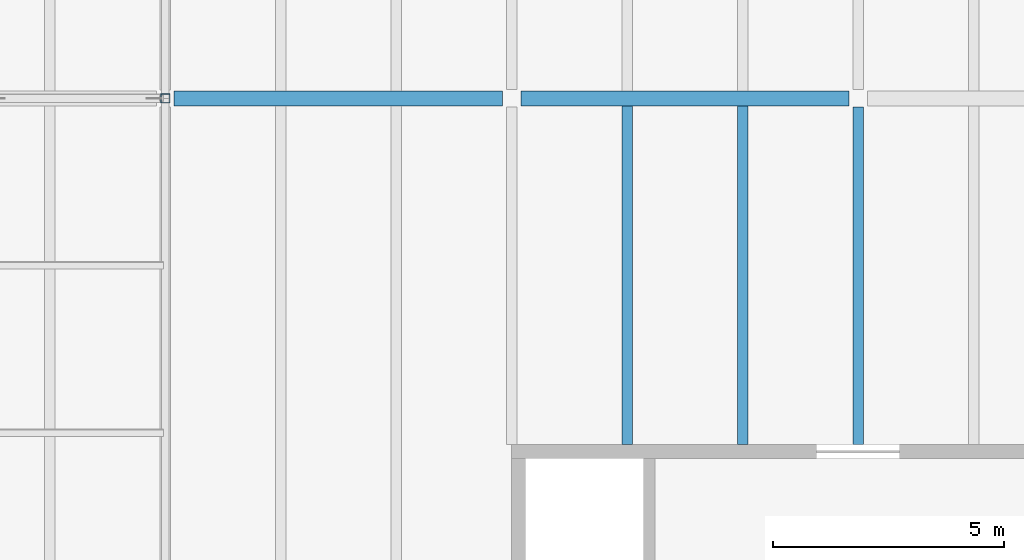
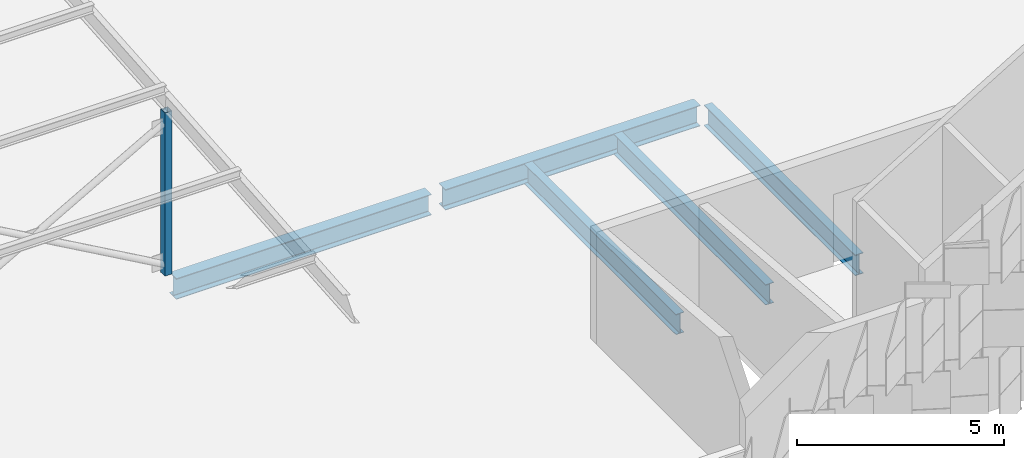
# One storey, part 49 of 483: 5 beams, 1 member.
"""IFC4 building model written with IfcOpenShell, lengths in metres."""

from ifc_helpers import new_model, si_unit, direction, frame, origin, origin_2d, place, context, subcontext, project, spatial, hollow_rectangle, i_section, extrude, material, material_profile, profile_set, type_object, element, save


model = new_model("IFC4")

# Units and contexts
model_context = context("Model", 3, precision=1e-05, world=origin(), true_north=direction((0.0, 1.0)))
body_context = subcontext(model_context, "Body", "Model", "MODEL_VIEW")
ifc_project = project(units=[si_unit("LENGTHUNIT", "METRE"), si_unit("AREAUNIT", "SQUARE_METRE"), si_unit("VOLUMEUNIT", "CUBIC_METRE"), si_unit("PLANEANGLEUNIT", "RADIAN"), si_unit("MASSUNIT", "GRAM", prefix="KILO")], contexts=[model_context])

# Site, building, storey
site_placement = place(None, origin())
site = spatial("IfcSite", under=ifc_project, at=site_placement, CompositionType="ELEMENT")
building_placement = place(site_placement, origin())
building = spatial("IfcBuilding", under=site, at=building_placement, Name="Parallax Yard Mobility Hub", CompositionType="ELEMENT")
storey_placement = place(building_placement, frame((0.0, 0.0, 13.199951171875)))
storey = spatial("IfcBuildingStorey", under=building, at=storey_placement, Name="L04", CompositionType="ELEMENT", Elevation=13.199951171875)

# Member
ifc_material_1 = material(Name="Steel ASTM A500 Gr C", Category="steel")
ifc_material_profile_1 = material_profile(ifc_material_1, hollow_rectangle(XDim=0.203125, YDim=0.203125, WallThickness=0.009521484375, at=origin_2d()), Name="HSS203x203x9.5")
ifc_profile_set_1 = profile_set([ifc_material_profile_1], Name="Steel ASTM A500 Gr C")
member_type = type_object("IfcMemberType", Name="Canopy post HSS203x203x9.5", PredefinedType="POST", material=ifc_profile_set_1)
member_placement = place(storey_placement, frame((120.0, 127.5, 0.0), z_axis=(0.0, 0.0, 1.0), x_axis=(1.0, 0.0, 0.0)))
element("IfcMember", 1, at=member_placement, inside=storey, type_object=member_type, Name="Canopy post RB/N-B5", PredefinedType="POST", context=body_context, shape_type="SweptSolid", body=[
    extrude(hollow_rectangle(XDim=0.203125, YDim=0.203125, WallThickness=0.009521484375, at=origin_2d()), origin(), (0.0, 0.0, 1.0), 4.81005859375),
])

# Beams
ifc_material_2 = material(Name="Steel ASTM A992", Category="steel")
ifc_material_profile_2 = material_profile(ifc_material_2, i_section(OverallWidth=0.22802734375, OverallDepth=0.60205078125, WebThickness=0.010498046875, FlangeThickness=0.014892578125, FilletRadius=0.0126953125, at=origin_2d()), Name="W610x101")
ifc_profile_set_2 = profile_set([ifc_material_profile_2], Name="Steel ASTM A992")
beam_type_1 = type_object("IfcBeamType", Name="W610x101 secondary beam", PredefinedType="JOIST", material=ifc_profile_set_2)
for number, where, z_axis, x_axis, name in (
    (2, (130.0, 120.0, -0.44091796875), (0.0, 1.0, 0.0), (-1.0, 0.0, 0.0), "Secondary beam B3 level L04, 2.5 m east of line 18 of ramped parking decks, span 1"),
    (3, (132.5, 120.0, -0.44091796875), (0.0, 1.0, 0.0), (-1.0, 0.0, 0.0), "Secondary beam B3 level L04, 5 m east of line 18 of ramped parking decks, span 1"),
):
    element("IfcBeam", number, at=place(storey_placement, frame(where, z_axis=z_axis, x_axis=x_axis)), inside=storey, type_object=beam_type_1, Name=name, PredefinedType="JOIST", context=body_context, shape_type="SweptSolid", body=[
        extrude(i_section(OverallWidth=0.22802734375, OverallDepth=0.60205078125, WebThickness=0.010498046875, FlangeThickness=0.014892578125, FilletRadius=0.0126953125, at=origin_2d()), origin(), (0.0, 0.0, 1.0), 7.33740234375),
    ])
ifc_material_profile_3 = material_profile(ifc_material_2, i_section(OverallWidth=0.22900390625, OverallDepth=0.612060546875, WebThickness=0.011962890625, FlangeThickness=0.01953125, FilletRadius=0.0126953125, at=origin_2d()), Name="W610x125")
ifc_profile_set_3 = profile_set([ifc_material_profile_3], Name="Steel ASTM A992")
beam_type_2 = type_object("IfcBeamType", Name="W610x125 girder", PredefinedType="BEAM", material=ifc_profile_set_3)
beam_1_placement = place(storey_placement, frame((135.0, 120.0, -0.446044921875), z_axis=(0.0, 1.0, 0.0), x_axis=(-1.0, 0.0, 0.0)))
element("IfcBeam", 4, at=beam_1_placement, inside=storey, type_object=beam_type_2, Name="Girder G3 level L04, line 19 of ramped parking decks, span 1", PredefinedType="BEAM", context=body_context, shape_type="SweptSolid", body=[
    extrude(i_section(OverallWidth=0.22900390625, OverallDepth=0.612060546875, WebThickness=0.011962890625, FlangeThickness=0.01953125, FilletRadius=0.0126953125, at=origin_2d()), origin(), (0.0, 0.0, 1.0), 7.3095703125),
])
ifc_material_profile_4 = material_profile(ifc_material_2, i_section(OverallWidth=0.324951171875, OverallDepth=0.612060546875, WebThickness=0.0126953125, FlangeThickness=0.01904296875, FilletRadius=0.0126953125, at=origin_2d()), Name="W610x155")
ifc_profile_set_4 = profile_set([ifc_material_profile_4], Name="Steel ASTM A992")
beam_type_3 = type_object("IfcBeamType", Name="W610x155 longitudinal beam", PredefinedType="BEAM", material=ifc_profile_set_4)
beam_2_placement = place(storey_placement, frame((120.1865234375, 127.5, -0.446044921875), z_axis=(1.0, 0.0, 0.0), x_axis=(0.0, 1.0, 0.0)))
element("IfcBeam", 5, at=beam_2_placement, inside=storey, type_object=beam_type_3, Name="Longitudinal beam SB8 level L04, line T of ramped parking decks, span 13", PredefinedType="BEAM", context=body_context, shape_type="SweptSolid", body=[
    extrude(i_section(OverallWidth=0.324951171875, OverallDepth=0.612060546875, WebThickness=0.0126953125, FlangeThickness=0.01904296875, FilletRadius=0.0126953125, at=origin_2d()), origin(), (0.0, 0.0, 1.0), 7.116455078125),
])
beam_3_placement = place(storey_placement, frame((127.697021484375, 127.5, -0.446044921875), z_axis=(1.0, 0.0, 0.0), x_axis=(0.0, 1.0, 0.0)))
element("IfcBeam", 6, at=beam_3_placement, inside=storey, type_object=beam_type_3, Name="Longitudinal beam SB8 level L04, line T of ramped parking decks, span 14", PredefinedType="BEAM", context=body_context, shape_type="SweptSolid", body=[
    extrude(i_section(OverallWidth=0.324951171875, OverallDepth=0.612060546875, WebThickness=0.0126953125, FlangeThickness=0.01904296875, FilletRadius=0.0126953125, at=origin_2d()), origin(), (0.0, 0.0, 1.0), 7.10498046875),
])

save(model, "model.ifc")
